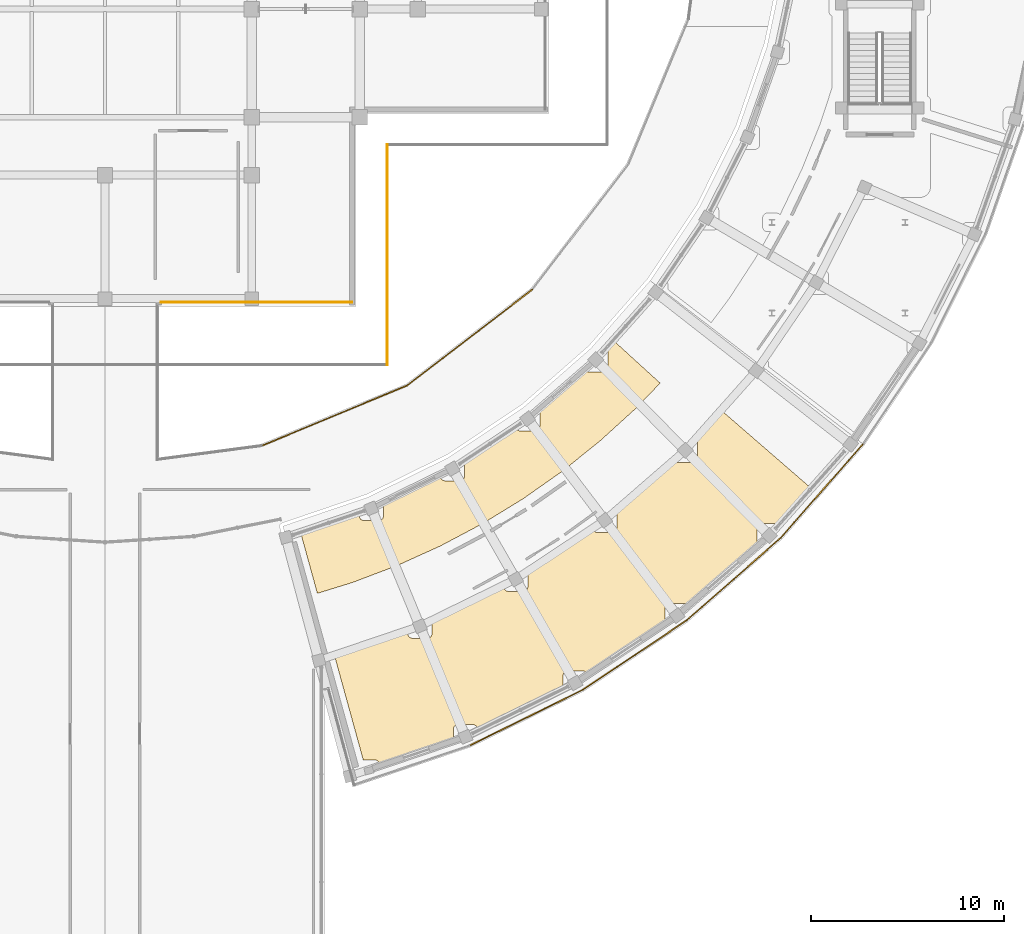
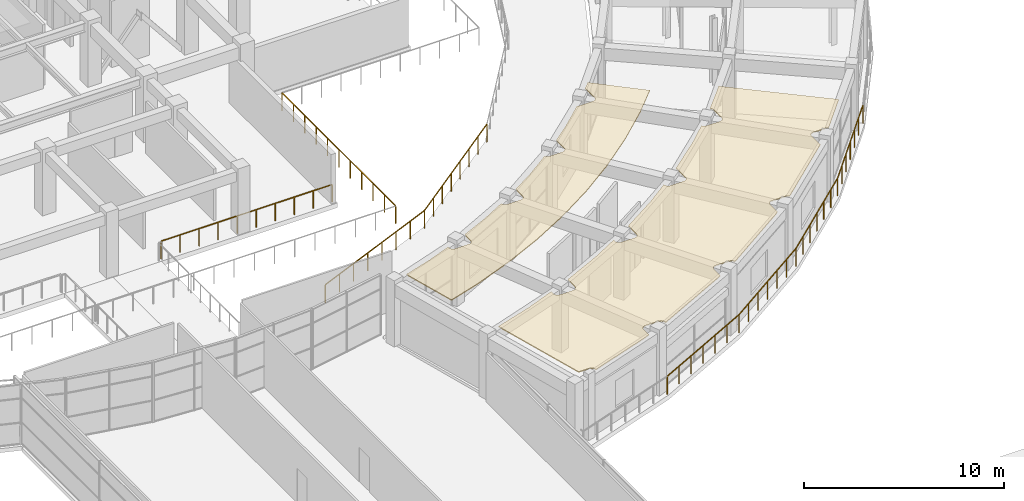
# One storey, part 69 of 83: 8 railings, 2 coverings.
"""IFC4 building model written with IfcOpenShell, lengths in metres."""

from ifc_helpers import new_model, si_unit, direction, frame, origin, origin_2d, place, context, subcontext, project, spatial, polyline, rectangle, outline, extrude, material, layer, layer_set, type_object, element, save


model = new_model("IFC4")

# Units and contexts
model_context = context("Model", 3, precision=1e-05, world=origin(), true_north=direction((0.0, 1.0)))
body_context = subcontext(model_context, "Body", "Model", "MODEL_VIEW")
ifc_project = project(units=[si_unit("LENGTHUNIT", "METRE"), si_unit("AREAUNIT", "SQUARE_METRE"), si_unit("VOLUMEUNIT", "CUBIC_METRE"), si_unit("PLANEANGLEUNIT", "RADIAN"), si_unit("MASSUNIT", "GRAM", prefix="KILO")], contexts=[model_context])

# Site, building, storey
site_placement = place(None, origin())
site = spatial("IfcSite", under=ifc_project, at=site_placement, CompositionType="ELEMENT")
building_placement = place(site_placement, origin())
building = spatial("IfcBuilding", under=site, at=building_placement, Name="Saryqyr Civic Hall", CompositionType="ELEMENT")
storey_placement = place(building_placement, frame((0.0, 0.0, 9.14990234375)))
storey = spatial("IfcBuildingStorey", under=building, at=storey_placement, Name="L02", CompositionType="ELEMENT", Elevation=9.14990234375)

# Railing
ifc_material_1 = material(Name="Stainless steel and laminated glass", Category="steel")
ifc_layer_1 = layer(ifc_material_1, 0.06005859375, Name="Stainless steel and laminated glass")
ifc_layer_set_1 = layer_set([ifc_layer_1], Name="Stainless steel and laminated glass")
railing_type_1 = type_object("IfcRailingType", Name="ENV-RLG-BAL-1100", PredefinedType="BALUSTRADE", material=ifc_layer_set_1)
railing_1_placement = place(storey_placement, frame((71.6201171875, 57.97998046875, 0.0)))
element("IfcRailing", 1, at=railing_1_placement, inside=storey, type_object=railing_type_1, Name="Perimeter safety balustrade V1-STEPG-L02-G02", PredefinedType="BALUSTRADE", context=body_context, shape_type="SweptSolid", body=[
    extrude(rectangle(XDim=0.048095703125, YDim=0.048095703125, at=origin_2d()), frame((0.0, 0.0, 1.076171875), z_axis=(0.0, 1.0, 0.0), x_axis=(-1.0, 0.0, 0.0)), (0.0, 0.0, 1.0), 11.39990234375),
    extrude(rectangle(XDim=0.0419921875, YDim=0.0419921875, at=origin_2d()), origin(), (0.0, 0.0, 1.0), 1.052001953125),
    extrude(rectangle(XDim=0.0419921875, YDim=0.0419921875, at=origin_2d()), frame((0.0, 1.139892578125, 0.0)), (0.0, 0.0, 1.0), 1.052001953125),
    extrude(rectangle(XDim=0.0419921875, YDim=0.0419921875, at=origin_2d()), frame((0.0, 2.280029296875, 0.0)), (0.0, 0.0, 1.0), 1.052001953125),
    extrude(rectangle(XDim=0.0419921875, YDim=0.0419921875, at=origin_2d()), frame((0.0, 3.419921875, 0.0)), (0.0, 0.0, 1.0), 1.052001953125),
    extrude(rectangle(XDim=0.0419921875, YDim=0.0419921875, at=origin_2d()), frame((0.0, 4.56005859375, 0.0)), (0.0, 0.0, 1.0), 1.052001953125),
    extrude(rectangle(XDim=0.0419921875, YDim=0.0419921875, at=origin_2d()), frame((0.0, 5.699951171875, 0.0)), (0.0, 0.0, 1.0), 1.052001953125),
    extrude(rectangle(XDim=0.0419921875, YDim=0.0419921875, at=origin_2d()), frame((0.0, 6.83984375, 0.0)), (0.0, 0.0, 1.0), 1.052001953125),
    extrude(rectangle(XDim=0.0419921875, YDim=0.0419921875, at=origin_2d()), frame((0.0, 7.97998046875, 0.0)), (0.0, 0.0, 1.0), 1.052001953125),
    extrude(rectangle(XDim=0.0419921875, YDim=0.0419921875, at=origin_2d()), frame((0.0, 9.119873046875, 0.0)), (0.0, 0.0, 1.0), 1.052001953125),
    extrude(rectangle(XDim=0.0419921875, YDim=0.0419921875, at=origin_2d()), frame((0.0, 10.260009765625, 0.0)), (0.0, 0.0, 1.0), 1.052001953125),
    extrude(rectangle(XDim=0.0419921875, YDim=0.0419921875, at=origin_2d()), frame((0.0, 11.39990234375, 0.0)), (0.0, 0.0, 1.0), 1.052001953125),
])

# Coverings
ifc_material_2 = material(Name="Mineral-fibre acoustic ceiling tile", Category="acoustic_tile")
ifc_layer_2 = layer(ifc_material_2, 0.06005859375, Name="Mineral-fibre acoustic ceiling tile")
ifc_layer_set_2 = layer_set([ifc_layer_2], Name="Mineral-fibre acoustic ceiling tile")
covering_type = type_object("IfcCoveringType", Name="INT-COV-CEIL-60", PredefinedType="CEILING", material=ifc_layer_set_2)
covering_1_placement = place(storey_placement, frame((0.0, 0.0, 3.72998046875)))
element("IfcCovering", 2, at=covering_1_placement, inside=storey, type_object=covering_type, Name="Acoustic ceiling Education, Youth & Culture Department", PredefinedType="CEILING", context=body_context, shape_type="SweptSolid", body=[
    extrude(outline(polyline([(72.683349609375, 44.253173828125), (72.683349609375, 44.05078125), (72.6845703125, 44.0263671875), (72.68798828125, 44.002197265625), (72.694091796875, 43.978271484375), (72.702392578125, 43.955078125), (72.712890625, 43.93310546875), (72.725341796875, 43.912109375), (72.739990234375, 43.892333984375), (72.756591796875, 43.8740234375), (72.774658203125, 43.857666015625), (72.79443359375, 43.843017578125), (72.8154296875, 43.830322265625), (72.837646484375, 43.81982421875), (72.860595703125, 43.811767578125), (72.884521484375, 43.8056640625), (72.90869140625, 43.802001953125), (72.933349609375, 43.80078125), (73.693359375, 43.80078125), (73.7177734375, 43.802001953125), (73.7421875, 43.8056640625), (73.765869140625, 43.811767578125), (73.7890625, 43.81982421875), (73.81103515625, 43.830322265625), (73.832275390625, 43.843017578125), (73.851806640625, 43.857666015625), (73.8701171875, 43.8740234375), (73.88671875, 43.892333984375), (73.901123046875, 43.912109375), (73.913818359375, 43.93310546875), (73.92431640625, 43.955078125), (73.9326171875, 43.978271484375), (73.9384765625, 44.002197265625), (73.942138671875, 44.0263671875), (73.943359375, 44.05078125), (73.943359375, 44.761474609375), (76.146484375, 45.777587890625), (76.1787109375, 45.793701171875), (77.64697265625, 46.591064453125), (77.64697265625, 46.4833984375), (77.648193359375, 46.458984375), (77.65185546875, 46.4345703125), (77.65771484375, 46.410888671875), (77.666015625, 46.3876953125), (77.676513671875, 46.365478515625), (77.689208984375, 46.344482421875), (77.70361328125, 46.32470703125), (77.72021484375, 46.306640625), (77.73828125, 46.2900390625), (77.758056640625, 46.275390625), (77.779296875, 46.262939453125), (77.80126953125, 46.25244140625), (77.824462890625, 46.244140625), (77.84814453125, 46.23828125), (77.87255859375, 46.234619140625), (77.89697265625, 46.2333984375), (78.656982421875, 46.2333984375), (78.681396484375, 46.234619140625), (78.705810546875, 46.23828125), (78.7294921875, 46.244140625), (78.752685546875, 46.25244140625), (78.77490234375, 46.262939453125), (78.7958984375, 46.275390625), (78.815673828125, 46.2900390625), (78.833740234375, 46.306640625), (78.850341796875, 46.32470703125), (78.864990234375, 46.344482421875), (78.87744140625, 46.365478515625), (78.887939453125, 46.3876953125), (78.896240234375, 46.410888671875), (78.902099609375, 46.4345703125), (78.90576171875, 46.458984375), (78.906982421875, 46.4833984375), (78.906982421875, 47.243408203125), (78.90576171875, 47.267822265625), (78.902099609375, 47.292236328125), (78.90087890625, 47.297119140625), (80.96435546875, 48.5986328125), (80.993896484375, 48.618896484375), (82.255859375, 49.535400390625), (82.255859375, 49.535400390625), (82.257080078125, 49.5107421875), (82.260498046875, 49.486572265625), (82.2666015625, 49.462646484375), (82.27490234375, 49.439697265625), (82.285400390625, 49.41748046875), (82.2978515625, 49.396484375), (82.3125, 49.376708984375), (82.3291015625, 49.3583984375), (82.34716796875, 49.342041015625), (82.366943359375, 49.327392578125), (82.387939453125, 49.314697265625), (82.41015625, 49.30419921875), (82.43310546875, 49.296142578125), (82.45703125, 49.2900390625), (82.481201171875, 49.28662109375), (82.505859375, 49.285400390625), (83.265869140625, 49.285400390625), (83.290283203125, 49.28662109375), (83.314697265625, 49.2900390625), (83.33837890625, 49.296142578125), (83.361572265625, 49.30419921875), (83.383544921875, 49.314697265625), (83.40478515625, 49.327392578125), (83.42431640625, 49.342041015625), (83.442626953125, 49.3583984375), (83.458984375, 49.376708984375), (83.4736328125, 49.396484375), (83.486328125, 49.41748046875), (83.496826171875, 49.439697265625), (83.5048828125, 49.462646484375), (83.510986328125, 49.486572265625), (83.5146484375, 49.5107421875), (83.515869140625, 49.535400390625), (83.515869140625, 50.29541015625), (83.5146484375, 50.31982421875), (83.510986328125, 50.343994140625), (83.5048828125, 50.367919921875), (83.496826171875, 50.39111328125), (83.486328125, 50.4130859375), (83.4736328125, 50.43408203125), (83.468994140625, 50.440673828125), (85.373291015625, 52.0234375), (85.400146484375, 52.04736328125), (86.456787109375, 53.049560546875), (86.46240234375, 53.0380859375), (86.474853515625, 53.016845703125), (86.489501953125, 52.997314453125), (86.506103515625, 52.97900390625), (86.524169921875, 52.96240234375), (86.5439453125, 52.947998046875), (86.56494140625, 52.935302734375), (86.587158203125, 52.9248046875), (86.610107421875, 52.91650390625), (86.634033203125, 52.91064453125), (86.658203125, 52.906982421875), (86.682861328125, 52.90576171875), (87.44287109375, 52.90576171875), (87.46728515625, 52.906982421875), (87.49169921875, 52.91064453125), (87.515380859375, 52.91650390625), (87.53857421875, 52.9248046875), (87.560546875, 52.935302734375), (87.581787109375, 52.947998046875), (87.601318359375, 52.96240234375), (87.61962890625, 52.97900390625), (87.635986328125, 52.997314453125), (87.650634765625, 53.016845703125), (87.663330078125, 53.0380859375), (87.673828125, 53.06005859375), (87.681884765625, 53.083251953125), (87.68798828125, 53.10693359375), (87.691650390625, 53.13134765625), (87.69287109375, 53.15576171875), (87.69287109375, 53.915771484375), (87.691650390625, 53.940185546875), (87.68798828125, 53.964599609375), (87.681884765625, 53.98828125), (87.673828125, 54.011474609375), (87.663330078125, 54.03369140625), (87.650634765625, 54.0546875), (87.635986328125, 54.074462890625), (87.61962890625, 54.092529296875), (87.601318359375, 54.109130859375), (87.581787109375, 54.123779296875), (87.572998046875, 54.12890625), (88.936767578125, 55.602783203125), (93.56640625, 51.591796875), (91.908935546875, 49.726318359375), (91.893310546875, 49.733642578125), (91.870361328125, 49.741943359375), (91.846435546875, 49.747802734375), (91.822265625, 49.75146484375), (91.797607421875, 49.752685546875), (91.03759765625, 49.752685546875), (91.01318359375, 49.75146484375), (90.989013671875, 49.747802734375), (90.965087890625, 49.741943359375), (90.94189453125, 49.733642578125), (90.919921875, 49.72314453125), (90.898681640625, 49.710693359375), (90.879150390625, 49.696044921875), (90.86083984375, 49.679443359375), (90.844482421875, 49.661376953125), (90.829833984375, 49.6416015625), (90.817138671875, 49.62060546875), (90.806640625, 49.598388671875), (90.798583984375, 49.5751953125), (90.79248046875, 49.551513671875), (90.788818359375, 49.527099609375), (90.78759765625, 49.502685546875), (90.78759765625, 48.74267578125), (90.788818359375, 48.71826171875), (90.79248046875, 48.69384765625), (90.798583984375, 48.670166015625), (90.802490234375, 48.658935546875), (90.701904296875, 48.5634765625), (87.601806640625, 45.844970703125), (87.2080078125, 45.517333984375), (87.1923828125, 45.53466796875), (87.17431640625, 45.551025390625), (87.154541015625, 45.565673828125), (87.13330078125, 45.578369140625), (87.111328125, 45.5888671875), (87.088134765625, 45.596923828125), (87.064453125, 45.60302734375), (87.0400390625, 45.606689453125), (87.015625, 45.60791015625), (86.255615234375, 45.60791015625), (86.231201171875, 45.606689453125), (86.206787109375, 45.60302734375), (86.18310546875, 45.596923828125), (86.159912109375, 45.5888671875), (86.1376953125, 45.578369140625), (86.11669921875, 45.565673828125), (86.096923828125, 45.551025390625), (86.078857421875, 45.53466796875), (86.062255859375, 45.516357421875), (86.047607421875, 45.49658203125), (86.03515625, 45.4755859375), (86.024658203125, 45.45361328125), (86.016357421875, 45.430419921875), (86.010498046875, 45.406494140625), (86.0068359375, 45.38232421875), (86.005615234375, 45.35791015625), (86.005615234375, 44.62548828125), (85.787353515625, 44.467041015625), (82.353271484375, 42.172607421875), (81.978515625, 41.93603515625), (81.978271484375, 41.936279296875), (81.97021484375, 41.95947265625), (81.959716796875, 41.9814453125), (81.947021484375, 42.002685546875), (81.932373046875, 42.022216796875), (81.916015625, 42.04052734375), (81.897705078125, 42.056884765625), (81.8779296875, 42.071533203125), (81.85693359375, 42.084228515625), (81.834716796875, 42.0947265625), (81.811767578125, 42.102783203125), (81.787841796875, 42.10888671875), (81.763671875, 42.112548828125), (81.739013671875, 42.11376953125), (80.97900390625, 42.11376953125), (80.95458984375, 42.112548828125), (80.930419921875, 42.10888671875), (80.906494140625, 42.102783203125), (80.88330078125, 42.0947265625), (80.861328125, 42.084228515625), (80.840087890625, 42.071533203125), (80.820556640625, 42.056884765625), (80.80224609375, 42.04052734375), (80.785888671875, 42.022216796875), (80.771240234375, 42.002685546875), (80.758544921875, 41.9814453125), (80.748046875, 41.95947265625), (80.739990234375, 41.936279296875), (80.73388671875, 41.91259765625), (80.730224609375, 41.88818359375), (80.72900390625, 41.86376953125), (80.72900390625, 41.23681640625), (80.382080078125, 41.04833984375), (76.306396484375, 39.05810546875), (76.306396484375, 39.078857421875), (76.30517578125, 39.103515625), (76.301513671875, 39.127685546875), (76.295654296875, 39.151611328125), (76.287353515625, 39.174560546875), (76.27685546875, 39.19677734375), (76.264404296875, 39.2177734375), (76.249755859375, 39.237548828125), (76.233154296875, 39.255615234375), (76.215087890625, 39.272216796875), (76.1953125, 39.286865234375), (76.17431640625, 39.29931640625), (76.152099609375, 39.309814453125), (76.12890625, 39.318115234375), (76.105224609375, 39.32421875), (76.080810546875, 39.32763671875), (76.056396484375, 39.328857421875), (75.29638671875, 39.328857421875), (75.27197265625, 39.32763671875), (75.24755859375, 39.32421875), (75.223876953125, 39.318115234375), (75.20068359375, 39.309814453125), (75.1787109375, 39.29931640625), (75.157470703125, 39.286865234375), (75.1376953125, 39.272216796875), (75.11962890625, 39.255615234375), (75.10302734375, 39.237548828125), (75.08837890625, 39.2177734375), (75.075927734375, 39.19677734375), (75.0654296875, 39.174560546875), (75.05712890625, 39.151611328125), (75.05126953125, 39.127685546875), (75.047607421875, 39.103515625), (75.04638671875, 39.078857421875), (75.04638671875, 38.544677734375), (74.577392578125, 38.364501953125), (71.2255859375, 37.24072265625), (71.2255859375, 37.25048828125), (71.224365234375, 37.275146484375), (71.220703125, 37.29931640625), (71.21484375, 37.3232421875), (71.20654296875, 37.34619140625), (71.196044921875, 37.368408203125), (71.18359375, 37.389404296875), (71.1689453125, 37.4091796875), (71.15234375, 37.427490234375), (71.13427734375, 37.44384765625), (71.114501953125, 37.45849609375), (71.093505859375, 37.47119140625), (71.0712890625, 37.481689453125), (71.048095703125, 37.48974609375), (71.0244140625, 37.495849609375), (71.0, 37.49951171875), (70.9755859375, 37.50048828125), (70.378662109375, 37.50048828125), (68.878173828125, 42.947998046875), (71.00244140625, 43.6083984375), (71.036376953125, 43.620361328125), (72.683349609375, 44.253173828125)])), origin(), (0.0, 0.0, 1.0), 0.06005859375),
])
covering_2_placement = place(storey_placement, frame((0.0, 0.0, 3.72998046875)))
element("IfcCovering", 3, at=covering_2_placement, inside=storey, type_object=covering_type, Name="Acoustic ceiling Standing Committee Room 4 (Social Policy)", PredefinedType="CEILING", context=body_context, shape_type="SweptSolid", body=[
    extrude(outline(polyline([(70.167724609375, 50.152587890625), (70.1689453125, 50.128173828125), (70.172607421875, 50.103759765625), (70.178466796875, 50.080078125), (70.186767578125, 50.056884765625), (70.197265625, 50.034912109375), (70.209716796875, 50.013671875), (70.224365234375, 49.993896484375), (70.240966796875, 49.975830078125), (70.259033203125, 49.959228515625), (70.27880859375, 49.944580078125), (70.2998046875, 49.93212890625), (70.322021484375, 49.921630859375), (70.34521484375, 49.913330078125), (70.368896484375, 49.907470703125), (70.393310546875, 49.90380859375), (70.417724609375, 49.902587890625), (71.177734375, 49.902587890625), (71.2021484375, 49.90380859375), (71.2265625, 49.907470703125), (71.250244140625, 49.913330078125), (71.2734375, 49.921630859375), (71.29541015625, 49.93212890625), (71.316650390625, 49.944580078125), (71.336181640625, 49.959228515625), (71.3544921875, 49.975830078125), (71.37109375, 49.993896484375), (71.385498046875, 50.013671875), (71.398193359375, 50.034912109375), (71.40869140625, 50.056884765625), (71.4169921875, 50.080078125), (71.4228515625, 50.103759765625), (71.426513671875, 50.128173828125), (71.427734375, 50.152587890625), (71.427734375, 50.737060546875), (72.9658203125, 51.43310546875), (72.99658203125, 51.448486328125), (74.368408203125, 52.17578125), (74.37060546875, 52.1611328125), (74.376708984375, 52.137451171875), (74.385009765625, 52.1142578125), (74.3955078125, 52.09228515625), (74.407958984375, 52.071044921875), (74.422607421875, 52.051513671875), (74.439208984375, 52.033203125), (74.457275390625, 52.0166015625), (74.47705078125, 52.002197265625), (74.498046875, 51.989501953125), (74.520263671875, 51.97900390625), (74.543212890625, 51.970703125), (74.567138671875, 51.96484375), (74.59130859375, 51.961181640625), (74.615966796875, 51.9599609375), (75.3759765625, 51.9599609375), (75.400390625, 51.961181640625), (75.4248046875, 51.96484375), (75.448486328125, 51.970703125), (75.4716796875, 51.97900390625), (75.49365234375, 51.989501953125), (75.514892578125, 52.002197265625), (75.534423828125, 52.0166015625), (75.552734375, 52.033203125), (75.569091796875, 52.051513671875), (75.583740234375, 52.071044921875), (75.596435546875, 52.09228515625), (75.60693359375, 52.1142578125), (75.614990234375, 52.137451171875), (75.62109375, 52.1611328125), (75.624755859375, 52.185546875), (75.6259765625, 52.2099609375), (75.6259765625, 52.895751953125), (76.901611328125, 53.677978515625), (76.93017578125, 53.697021484375), (78.301513671875, 54.660400390625), (78.30615234375, 54.65234375), (78.32080078125, 54.6328125), (78.337158203125, 54.614501953125), (78.35546875, 54.597900390625), (78.375, 54.58349609375), (78.396240234375, 54.57080078125), (78.418212890625, 54.560302734375), (78.44140625, 54.552001953125), (78.465087890625, 54.546142578125), (78.489501953125, 54.54248046875), (78.513916015625, 54.541259765625), (79.27392578125, 54.541259765625), (79.298583984375, 54.54248046875), (79.32275390625, 54.546142578125), (79.3466796875, 54.552001953125), (79.36962890625, 54.560302734375), (79.391845703125, 54.57080078125), (79.412841796875, 54.58349609375), (79.4326171875, 54.597900390625), (79.45068359375, 54.614501953125), (79.46728515625, 54.6328125), (79.48193359375, 54.65234375), (79.494384765625, 54.673583984375), (79.5048828125, 54.695556640625), (79.51318359375, 54.71875), (79.519287109375, 54.742431640625), (79.522705078125, 54.766845703125), (79.52392578125, 54.791259765625), (79.52392578125, 55.55126953125), (79.522705078125, 55.57568359375), (79.5205078125, 55.590576171875), (80.526611328125, 56.39599609375), (80.552978515625, 56.418212890625), (81.90576171875, 57.6474609375), (81.907958984375, 57.6455078125), (81.92919921875, 57.633056640625), (81.951171875, 57.62255859375), (81.974365234375, 57.6142578125), (81.998046875, 57.6083984375), (82.0224609375, 57.604736328125), (82.046875, 57.603515625), (82.806884765625, 57.603515625), (82.831298828125, 57.604736328125), (82.855712890625, 57.6083984375), (82.87939453125, 57.6142578125), (82.902587890625, 57.62255859375), (82.9248046875, 57.633056640625), (82.94580078125, 57.6455078125), (82.965576171875, 57.66015625), (82.983642578125, 57.6767578125), (83.000244140625, 57.69482421875), (83.014892578125, 57.714599609375), (83.02734375, 57.735595703125), (83.037841796875, 57.7578125), (83.046142578125, 57.781005859375), (83.052001953125, 57.8046875), (83.0556640625, 57.8291015625), (83.056884765625, 57.853515625), (83.056884765625, 58.613525390625), (83.0556640625, 58.637939453125), (83.052001953125, 58.662353515625), (83.046142578125, 58.68603515625), (83.037841796875, 58.709228515625), (83.02734375, 58.731201171875), (83.014892578125, 58.751953125), (83.413330078125, 59.162109375), (85.762451171875, 57.01953125), (84.42822265625, 55.6455078125), (82.603759765625, 53.98779296875), (80.67919921875, 52.447021484375), (78.662109375, 51.02978515625), (76.560302734375, 49.7412109375), (74.382080078125, 48.586181640625), (72.136474609375, 47.569580078125), (69.831298828125, 46.6953125), (68.001708984375, 46.12939453125), (67.157470703125, 49.194580078125), (68.78076171875, 49.69677734375), (68.813232421875, 49.7080078125), (70.167724609375, 50.2216796875), (70.167724609375, 50.152587890625)])), origin(), (0.0, 0.0, 1.0), 0.06005859375),
])

# Railings
ifc_material_3 = material(Name="Warm brushed brass and laminated glass", Category="glass")
ifc_layer_3 = layer(ifc_material_3, 0.06005859375, Name="Warm brushed brass and laminated glass")
ifc_layer_set_3 = layer_set([ifc_layer_3], Name="Warm brushed brass and laminated glass")
railing_type_2 = type_object("IfcRailingType", Name="INT-RLG-BAL-1100", PredefinedType="BALUSTRADE", material=ifc_layer_set_3)
railing_2_placement = place(storey_placement, frame((59.89990234375, 61.199951171875, 0.0)))
element("IfcRailing", 4, at=railing_2_placement, inside=storey, type_object=railing_type_2, Name="Perimeter safety balustrade V1-JNTGB-L02-11-G01", PredefinedType="BALUSTRADE", context=body_context, shape_type="SweptSolid", body=[
    extrude(rectangle(XDim=0.048095703125, YDim=0.048095703125, at=origin_2d()), frame((0.0, 0.0, 1.076171875), z_axis=(1.0, 0.0, 0.0), x_axis=(0.0, 1.0, 0.0)), (0.0, 0.0, 1.0), 9.900146484375),
    extrude(rectangle(XDim=0.0419921875, YDim=0.0419921875, at=origin_2d()), origin(), (0.0, 0.0, 1.0), 1.052001953125),
    extrude(rectangle(XDim=0.0419921875, YDim=0.0419921875, at=origin_2d()), frame((1.10009765625, 0.0, 0.0)), (0.0, 0.0, 1.0), 1.052001953125),
    extrude(rectangle(XDim=0.0419921875, YDim=0.0419921875, at=origin_2d()), frame((2.199951171875, 0.0, 0.0)), (0.0, 0.0, 1.0), 1.052001953125),
    extrude(rectangle(XDim=0.0419921875, YDim=0.0419921875, at=origin_2d()), frame((3.300048828125, 0.0, 0.0)), (0.0, 0.0, 1.0), 1.052001953125),
    extrude(rectangle(XDim=0.0419921875, YDim=0.0419921875, at=origin_2d()), frame((4.400146484375, 0.0, 0.0)), (0.0, 0.0, 1.0), 1.052001953125),
    extrude(rectangle(XDim=0.0419921875, YDim=0.0419921875, at=origin_2d()), frame((5.5, 0.0, 0.0)), (0.0, 0.0, 1.0), 1.052001953125),
    extrude(rectangle(XDim=0.0419921875, YDim=0.0419921875, at=origin_2d()), frame((6.60009765625, 0.0, 0.0)), (0.0, 0.0, 1.0), 1.052001953125),
    extrude(rectangle(XDim=0.0419921875, YDim=0.0419921875, at=origin_2d()), frame((7.7001953125, 0.0, 0.0)), (0.0, 0.0, 1.0), 1.052001953125),
    extrude(rectangle(XDim=0.0419921875, YDim=0.0419921875, at=origin_2d()), frame((8.800048828125, 0.0, 0.0)), (0.0, 0.0, 1.0), 1.052001953125),
    extrude(rectangle(XDim=0.0419921875, YDim=0.0419921875, at=origin_2d()), frame((9.900146484375, 0.0, 0.0)), (0.0, 0.0, 1.0), 1.052001953125),
])
railing_3_placement = place(storey_placement, frame((96.270751953125, 53.866455078125, 0.0)))
element("IfcRailing", 5, at=railing_3_placement, inside=storey, type_object=railing_type_2, Name="Interior deck safety balustrade L02-042", PredefinedType="BALUSTRADE", context=body_context, shape_type="SweptSolid", body=[
    extrude(rectangle(XDim=0.048095703125, YDim=0.048095703125, at=origin_2d()), frame((0.0, 0.0, 1.09619140625), z_axis=(-0.659326405009, -0.751856829228, 0.0), x_axis=(0.751856829228, -0.659326405009, 0.0)), (0.0, 0.0, 1.0), 6.474853515625),
    extrude(rectangle(XDim=0.0419921875, YDim=0.0419921875, at=origin_2d()), origin(), (0.0, 0.0, 1.0), 1.072021484375),
    extrude(rectangle(XDim=0.0419921875, YDim=0.0419921875, at=origin_2d()), frame((-0.71142578125, -0.811279296875, 0.0)), (0.0, 0.0, 1.0), 1.072021484375),
    extrude(rectangle(XDim=0.0419921875, YDim=0.0419921875, at=origin_2d()), frame((-1.423095703125, -1.622802734375, 0.0)), (0.0, 0.0, 1.0), 1.072021484375),
    extrude(rectangle(XDim=0.0419921875, YDim=0.0419921875, at=origin_2d()), frame((-2.134521484375, -2.43408203125, 0.0)), (0.0, 0.0, 1.0), 1.072021484375),
    extrude(rectangle(XDim=0.0419921875, YDim=0.0419921875, at=origin_2d()), frame((-2.845947265625, -3.245361328125, 0.0)), (0.0, 0.0, 1.0), 1.072021484375),
    extrude(rectangle(XDim=0.0419921875, YDim=0.0419921875, at=origin_2d()), frame((-3.5576171875, -4.056884765625, 0.0)), (0.0, 0.0, 1.0), 1.072021484375),
    extrude(rectangle(XDim=0.0419921875, YDim=0.0419921875, at=origin_2d()), frame((-4.26904296875, -4.8681640625, 0.0)), (0.0, 0.0, 1.0), 1.072021484375),
])
railing_4_placement = place(storey_placement, frame((92.001708984375, 48.998291015625, 0.0)))
element("IfcRailing", 6, at=railing_4_placement, inside=storey, type_object=railing_type_2, Name="Interior deck safety balustrade L02-043", PredefinedType="BALUSTRADE", context=body_context, shape_type="SweptSolid", body=[
    extrude(rectangle(XDim=0.048095703125, YDim=0.048095703125, at=origin_2d()), frame((0.0, 0.0, 1.09619140625), z_axis=(-0.751856829228, -0.659326405009, 0.0), x_axis=(0.659326405009, -0.751856829228, 0.0)), (0.0, 0.0, 1.0), 6.474853515625),
    extrude(rectangle(XDim=0.0419921875, YDim=0.0419921875, at=origin_2d()), origin(), (0.0, 0.0, 1.0), 1.072021484375),
    extrude(rectangle(XDim=0.0419921875, YDim=0.0419921875, at=origin_2d()), frame((-0.811279296875, -0.71142578125, 0.0)), (0.0, 0.0, 1.0), 1.072021484375),
    extrude(rectangle(XDim=0.0419921875, YDim=0.0419921875, at=origin_2d()), frame((-1.622802734375, -1.423095703125, 0.0)), (0.0, 0.0, 1.0), 1.072021484375),
    extrude(rectangle(XDim=0.0419921875, YDim=0.0419921875, at=origin_2d()), frame((-2.43408203125, -2.134521484375, 0.0)), (0.0, 0.0, 1.0), 1.072021484375),
    extrude(rectangle(XDim=0.0419921875, YDim=0.0419921875, at=origin_2d()), frame((-3.245361328125, -2.845947265625, 0.0)), (0.0, 0.0, 1.0), 1.072021484375),
    extrude(rectangle(XDim=0.0419921875, YDim=0.0419921875, at=origin_2d()), frame((-4.056884765625, -3.5576171875, 0.0)), (0.0, 0.0, 1.0), 1.072021484375),
    extrude(rectangle(XDim=0.0419921875, YDim=0.0419921875, at=origin_2d()), frame((-4.8681640625, -4.26904296875, 0.0)), (0.0, 0.0, 1.0), 1.072021484375),
])
railing_5_placement = place(storey_placement, frame((87.133544921875, 44.729248046875, 0.0)))
element("IfcRailing", 7, at=railing_5_placement, inside=storey, type_object=railing_type_2, Name="Interior deck safety balustrade L02-044", PredefinedType="BALUSTRADE", context=body_context, shape_type="SweptSolid", body=[
    extrude(rectangle(XDim=0.048095703125, YDim=0.048095703125, at=origin_2d()), frame((0.0, 0.0, 1.09619140625), z_axis=(-0.831452318502, -0.55559611415, 0.0), x_axis=(0.55559611415, -0.831452318502, 0.0)), (0.0, 0.0, 1.0), 6.474853515625),
    extrude(rectangle(XDim=0.0419921875, YDim=0.0419921875, at=origin_2d()), origin(), (0.0, 0.0, 1.0), 1.072021484375),
    extrude(rectangle(XDim=0.0419921875, YDim=0.0419921875, at=origin_2d()), frame((-0.897216796875, -0.599609375, 0.0)), (0.0, 0.0, 1.0), 1.072021484375),
    extrude(rectangle(XDim=0.0419921875, YDim=0.0419921875, at=origin_2d()), frame((-1.79443359375, -1.19921875, 0.0)), (0.0, 0.0, 1.0), 1.072021484375),
    extrude(rectangle(XDim=0.0419921875, YDim=0.0419921875, at=origin_2d()), frame((-2.69189453125, -1.798828125, 0.0)), (0.0, 0.0, 1.0), 1.072021484375),
    extrude(rectangle(XDim=0.0419921875, YDim=0.0419921875, at=origin_2d()), frame((-3.589111328125, -2.398193359375, 0.0)), (0.0, 0.0, 1.0), 1.072021484375),
    extrude(rectangle(XDim=0.0419921875, YDim=0.0419921875, at=origin_2d()), frame((-4.486328125, -2.997802734375, 0.0)), (0.0, 0.0, 1.0), 1.072021484375),
    extrude(rectangle(XDim=0.0419921875, YDim=0.0419921875, at=origin_2d()), frame((-5.383544921875, -3.597412109375, 0.0)), (0.0, 0.0, 1.0), 1.072021484375),
])
railing_6_placement = place(storey_placement, frame((81.75, 41.1318359375, 0.0)))
element("IfcRailing", 8, at=railing_6_placement, inside=storey, type_object=railing_type_2, Name="Interior deck safety balustrade L02-045", PredefinedType="BALUSTRADE", context=body_context, shape_type="SweptSolid", body=[
    extrude(rectangle(XDim=0.048095703125, YDim=0.048095703125, at=origin_2d()), frame((0.0, 0.0, 1.09619140625), z_axis=(-0.89689443152, -0.442244704557, 0.0), x_axis=(0.442244704557, -0.89689443152, 0.0)), (0.0, 0.0, 1.0), 6.47509765625),
    extrude(rectangle(XDim=0.0419921875, YDim=0.0419921875, at=origin_2d()), origin(), (0.0, 0.0, 1.0), 1.072021484375),
    extrude(rectangle(XDim=0.0419921875, YDim=0.0419921875, at=origin_2d()), frame((-0.9677734375, -0.477294921875, 0.0)), (0.0, 0.0, 1.0), 1.072021484375),
    extrude(rectangle(XDim=0.0419921875, YDim=0.0419921875, at=origin_2d()), frame((-1.935791015625, -0.95458984375, 0.0)), (0.0, 0.0, 1.0), 1.072021484375),
    extrude(rectangle(XDim=0.0419921875, YDim=0.0419921875, at=origin_2d()), frame((-2.90380859375, -1.431640625, 0.0)), (0.0, 0.0, 1.0), 1.072021484375),
    extrude(rectangle(XDim=0.0419921875, YDim=0.0419921875, at=origin_2d()), frame((-3.87158203125, -1.908935546875, 0.0)), (0.0, 0.0, 1.0), 1.072021484375),
    extrude(rectangle(XDim=0.0419921875, YDim=0.0419921875, at=origin_2d()), frame((-4.83935546875, -2.38623046875, 0.0)), (0.0, 0.0, 1.0), 1.072021484375),
    extrude(rectangle(XDim=0.0419921875, YDim=0.0419921875, at=origin_2d()), frame((-5.807373046875, -2.863525390625, 0.0)), (0.0, 0.0, 1.0), 1.072021484375),
])
railing_7_placement = place(storey_placement, frame((65.101318359375, 53.765625, 0.0)))
element("IfcRailing", 9, at=railing_7_placement, inside=storey, type_object=railing_type_2, Name="Interior deck safety balustrade L02-061", PredefinedType="BALUSTRADE", context=body_context, shape_type="SweptSolid", body=[
    extrude(rectangle(XDim=0.048095703125, YDim=0.048095703125, at=origin_2d()), frame((0.0, 0.0, 1.09619140625), z_axis=(0.923878450384, 0.382686044841, 0.0), x_axis=(-0.382686044841, 0.923878450384, 0.0)), (0.0, 0.0, 1.0), 8.171142578125),
    extrude(rectangle(XDim=0.0419921875, YDim=0.0419921875, at=origin_2d()), origin(), (0.0, 0.0, 1.0), 1.072021484375),
    extrude(rectangle(XDim=0.0419921875, YDim=0.0419921875, at=origin_2d()), frame((1.078369140625, 0.44677734375, 0.0)), (0.0, 0.0, 1.0), 1.072021484375),
    extrude(rectangle(XDim=0.0419921875, YDim=0.0419921875, at=origin_2d()), frame((2.156982421875, 0.893310546875, 0.0)), (0.0, 0.0, 1.0), 1.072021484375),
    extrude(rectangle(XDim=0.0419921875, YDim=0.0419921875, at=origin_2d()), frame((3.2353515625, 1.340087890625, 0.0)), (0.0, 0.0, 1.0), 1.072021484375),
    extrude(rectangle(XDim=0.0419921875, YDim=0.0419921875, at=origin_2d()), frame((4.313720703125, 1.786865234375, 0.0)), (0.0, 0.0, 1.0), 1.072021484375),
    extrude(rectangle(XDim=0.0419921875, YDim=0.0419921875, at=origin_2d()), frame((5.39208984375, 2.233642578125, 0.0)), (0.0, 0.0, 1.0), 1.072021484375),
    extrude(rectangle(XDim=0.0419921875, YDim=0.0419921875, at=origin_2d()), frame((6.470703125, 2.68017578125, 0.0)), (0.0, 0.0, 1.0), 1.072021484375),
    extrude(rectangle(XDim=0.0419921875, YDim=0.0419921875, at=origin_2d()), frame((7.549072265625, 3.126953125, 0.0)), (0.0, 0.0, 1.0), 1.072021484375),
])
railing_8_placement = place(storey_placement, frame((72.650390625, 56.892578125, 0.0)))
element("IfcRailing", 10, at=railing_8_placement, inside=storey, type_object=railing_type_2, Name="Interior deck safety balustrade L02-062", PredefinedType="BALUSTRADE", context=body_context, shape_type="SweptSolid", body=[
    extrude(rectangle(XDim=0.048095703125, YDim=0.048095703125, at=origin_2d()), frame((0.0, 0.0, 1.09619140625), z_axis=(0.793350937865, 0.608764559899, 0.0), x_axis=(-0.608764559899, 0.793350937865, 0.0)), (0.0, 0.0, 1.0), 8.171142578125),
    extrude(rectangle(XDim=0.0419921875, YDim=0.0419921875, at=origin_2d()), origin(), (0.0, 0.0, 1.0), 1.072021484375),
    extrude(rectangle(XDim=0.0419921875, YDim=0.0419921875, at=origin_2d()), frame((0.926025390625, 0.710693359375, 0.0)), (0.0, 0.0, 1.0), 1.072021484375),
    extrude(rectangle(XDim=0.0419921875, YDim=0.0419921875, at=origin_2d()), frame((1.852294921875, 1.421142578125, 0.0)), (0.0, 0.0, 1.0), 1.072021484375),
    extrude(rectangle(XDim=0.0419921875, YDim=0.0419921875, at=origin_2d()), frame((2.7783203125, 2.1318359375, 0.0)), (0.0, 0.0, 1.0), 1.072021484375),
    extrude(rectangle(XDim=0.0419921875, YDim=0.0419921875, at=origin_2d()), frame((3.704345703125, 2.842529296875, 0.0)), (0.0, 0.0, 1.0), 1.072021484375),
    extrude(rectangle(XDim=0.0419921875, YDim=0.0419921875, at=origin_2d()), frame((4.63037109375, 3.55322265625, 0.0)), (0.0, 0.0, 1.0), 1.072021484375),
    extrude(rectangle(XDim=0.0419921875, YDim=0.0419921875, at=origin_2d()), frame((5.556640625, 4.263671875, 0.0)), (0.0, 0.0, 1.0), 1.072021484375),
    extrude(rectangle(XDim=0.0419921875, YDim=0.0419921875, at=origin_2d()), frame((6.482666015625, 4.974365234375, 0.0)), (0.0, 0.0, 1.0), 1.072021484375),
])

save(model, "model.ifc")
